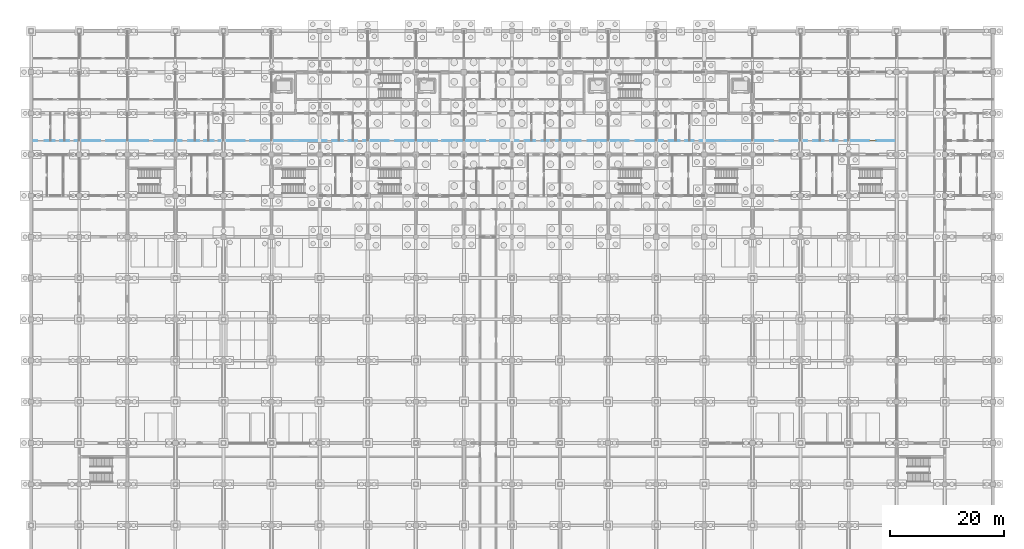
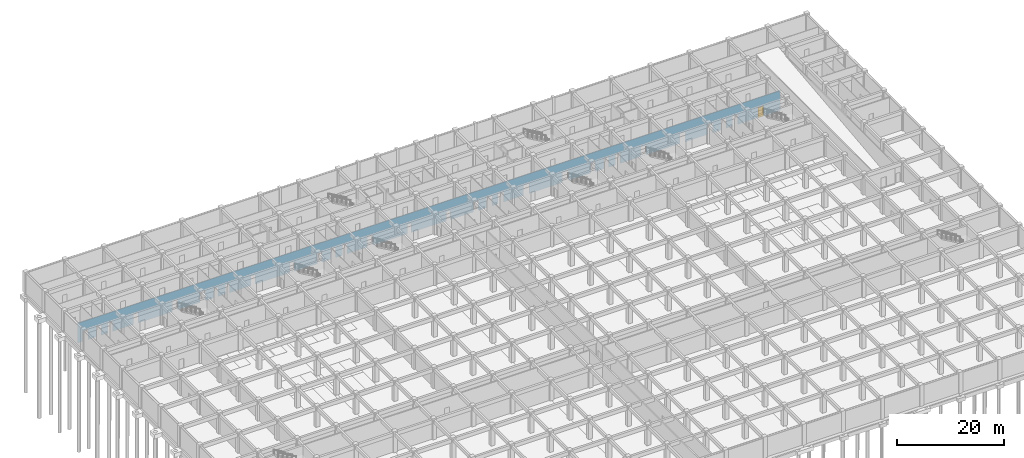
# One storey, part 70 of 85: 1 door, 30 openings, plus 1 element that does not belong to this part.
"""IFC4 building model written with IfcOpenShell, lengths in metres."""

from ifc_helpers import new_model, si_unit, direction, frame, frame_2d, origin, place, context, subcontext, project, spatial, rectangle, extrude, material, layer, layer_set, type_object, element, fill, save


model = new_model("IFC4")

# Units and contexts
model_context = context("Model", 3, precision=1e-05, world=origin(), true_north=direction((0.0, 1.0)))
body_context = subcontext(model_context, "Body", "Model", "MODEL_VIEW")
ifc_project = project(units=[si_unit("LENGTHUNIT", "METRE"), si_unit("AREAUNIT", "SQUARE_METRE"), si_unit("VOLUMEUNIT", "CUBIC_METRE"), si_unit("PLANEANGLEUNIT", "RADIAN"), si_unit("MASSUNIT", "GRAM", prefix="KILO")], contexts=[model_context])

# Site, building, storey
site_placement = place(None, origin())
site = spatial("IfcSite", under=ifc_project, at=site_placement, CompositionType="ELEMENT")
building_placement = place(site_placement, origin())
building = spatial("IfcBuilding", under=site, at=building_placement, Name="Chengyuan Square Courthouse", CompositionType="ELEMENT")
storey_placement = place(building_placement, frame((0.0, 0.0, -10.199951171875)))
storey = spatial("IfcBuildingStorey", under=building, at=storey_placement, Name="B02", CompositionType="ELEMENT", Elevation=-10.199951171875)

# Wall, openings, door
ifc_material_1 = material(Name="Gypsum Plasterboard Acoustic Stud Partition")
ifc_layer = layer(ifc_material_1, 0.10009765625)
ifc_layer_set = layer_set([ifc_layer], Name="Gypsum Plasterboard Acoustic Stud Partition")
wall_type = type_object("IfcWallType", Name="WL-PT6", PredefinedType="STANDARD", material=ifc_layer_set)
wall_placement = place(storey_placement, frame((0.0400390625, 96.0, 0.0), z_axis=(0.0, 0.0, 1.0), x_axis=(1.0, 0.0, 0.0)))
wall = element("IfcWall", 1, at=wall_placement, inside=storey, type_object=wall_type, Name="Interior Wall WL-B02-I062", PredefinedType="STANDARD", context=body_context, shape_type="SweptSolid", body=[
    extrude(rectangle(XDim=151.159912109375, YDim=0.10009765625, at=frame_2d((75.580078125, 0.0))), origin(), (0.0, 0.0, 1.0), 4.47998046875),
])
opening_1_placement = place(wall_placement, frame((1.0400390625, 0.0, 0.0)))
element("IfcOpeningElement", 2, at=opening_1_placement, cuts=wall, Name="Opening DR-148", PredefinedType="OPENING", context=body_context, shape_type="SweptSolid", body=[
    extrude(rectangle(XDim=1.280029296875, YDim=2.35009765625, at=frame_2d((0.64013671875, 1.175048828125))), frame((0.0, 0.06201171875, 0.0), z_axis=(0.0, -1.0, 0.0), x_axis=(1.0, 0.0, 0.0)), (0.0, 0.0, 1.0), 0.1240234375),
])
opening_2_placement = place(wall_placement, frame((4.090087890625, 0.0, 0.0)))
element("IfcOpeningElement", 3, at=opening_2_placement, cuts=wall, Name="Opening DR-149", PredefinedType="OPENING", context=body_context, shape_type="SweptSolid", body=[
    extrude(rectangle(XDim=0.93994140625, YDim=2.300048828125, at=frame_2d((0.469970703125, 1.14990234375))), frame((0.0, 0.06201171875, 0.0), z_axis=(0.0, -1.0, 0.0), x_axis=(1.0, 0.0, 0.0)), (0.0, 0.0, 1.0), 0.1240234375),
])
opening_3_placement = place(wall_placement, frame((6.570068359375, 0.0, 0.0)))
element("IfcOpeningElement", 4, at=opening_3_placement, cuts=wall, Name="Opening DR-150", PredefinedType="OPENING", context=body_context, shape_type="SweptSolid", body=[
    extrude(rectangle(XDim=0.97998046875, YDim=2.35009765625, at=frame_2d((0.489990234375, 1.175048828125))), frame((0.0, 0.06201171875, 0.0), z_axis=(0.0, -1.0, 0.0), x_axis=(1.0, 0.0, 0.0)), (0.0, 0.0, 1.0), 0.1240234375),
])
opening_4_placement = place(wall_placement, frame((12.050048828125, 0.0, 0.0)))
element("IfcOpeningElement", 5, at=opening_4_placement, cuts=wall, Name="Opening DR-151", PredefinedType="OPENING", context=body_context, shape_type="SweptSolid", body=[
    extrude(rectangle(XDim=1.02001953125, YDim=2.39990234375, at=frame_2d((0.510009765625, 1.199951171875))), frame((0.0, 0.06201171875, 0.0), z_axis=(0.0, -1.0, 0.0), x_axis=(1.0, 0.0, 0.0)), (0.0, 0.0, 1.0), 0.1240234375),
])
opening_5_placement = place(wall_placement, frame((20.429931640625, 0.0, 0.0)))
element("IfcOpeningElement", 6, at=opening_5_placement, cuts=wall, Name="Opening DR-152", PredefinedType="OPENING", context=body_context, shape_type="SweptSolid", body=[
    extrude(rectangle(XDim=1.06005859375, YDim=2.39990234375, at=frame_2d((0.530029296875, 1.199951171875))), frame((0.0, 0.06201171875, 0.0), z_axis=(0.0, -1.0, 0.0), x_axis=(1.0, 0.0, 0.0)), (0.0, 0.0, 1.0), 0.1240234375),
])
opening_6_placement = place(wall_placement, frame((26.2900390625, 0.0, 0.0)))
element("IfcOpeningElement", 7, at=opening_6_placement, cuts=wall, Name="Opening DR-153", PredefinedType="OPENING", context=body_context, shape_type="SweptSolid", body=[
    extrude(rectangle(XDim=1.139892578125, YDim=2.39990234375, at=frame_2d((0.56982421875, 1.199951171875))), frame((0.0, 0.06201171875, 0.0), z_axis=(0.0, -1.0, 0.0), x_axis=(1.0, 0.0, 0.0)), (0.0, 0.0, 1.0), 0.1240234375),
])
opening_7_placement = place(wall_placement, frame((29.31005859375, 0.0, 0.0)))
element("IfcOpeningElement", 8, at=opening_7_placement, cuts=wall, Name="Opening DR-154", PredefinedType="OPENING", context=body_context, shape_type="SweptSolid", body=[
    extrude(rectangle(XDim=0.89990234375, YDim=2.14990234375, at=frame_2d((0.449951171875, 1.074951171875))), frame((0.0, 0.06201171875, 0.0), z_axis=(0.0, -1.0, 0.0), x_axis=(1.0, 0.0, 0.0)), (0.0, 0.0, 1.0), 0.1240234375),
])
opening_8_placement = place(wall_placement, frame((31.830078125, 0.0, 0.0)))
element("IfcOpeningElement", 9, at=opening_8_placement, cuts=wall, Name="Opening DR-155", PredefinedType="OPENING", context=body_context, shape_type="SweptSolid", body=[
    extrude(rectangle(XDim=0.860107421875, YDim=2.10009765625, at=frame_2d((0.43017578125, 1.050048828125))), frame((0.0, 0.06201171875, 0.0), z_axis=(0.0, -1.0, 0.0), x_axis=(1.0, 0.0, 0.0)), (0.0, 0.0, 1.0), 0.1240234375),
])
opening_9_placement = place(wall_placement, frame((37.300048828125, 0.0, 0.0)))
element("IfcOpeningElement", 10, at=opening_9_placement, cuts=wall, Name="Opening DR-156", PredefinedType="OPENING", context=body_context, shape_type="SweptSolid", body=[
    extrude(rectangle(XDim=0.919921875, YDim=2.14990234375, at=frame_2d((0.4599609375, 1.074951171875))), frame((0.0, 0.06201171875, 0.0), z_axis=(0.0, -1.0, 0.0), x_axis=(1.0, 0.0, 0.0)), (0.0, 0.0, 1.0), 0.1240234375),
])
opening_10_placement = place(wall_placement, frame((45.679931640625, 0.0, 0.0)))
element("IfcOpeningElement", 11, at=opening_10_placement, cuts=wall, Name="Opening DR-157", PredefinedType="OPENING", context=body_context, shape_type="SweptSolid", body=[
    extrude(rectangle(XDim=0.9599609375, YDim=2.199951171875, at=frame_2d((0.47998046875, 1.10009765625))), frame((0.0, 0.06201171875, 0.0), z_axis=(0.0, -1.0, 0.0), x_axis=(1.0, 0.0, 0.0)), (0.0, 0.0, 1.0), 0.1240234375),
])
opening_11_placement = place(wall_placement, frame((51.570068359375, 0.0, 0.0)))
element("IfcOpeningElement", 12, at=opening_11_placement, cuts=wall, Name="Opening DR-167", PredefinedType="OPENING", context=body_context, shape_type="SweptSolid", body=[
    extrude(rectangle(XDim=0.97998046875, YDim=2.35009765625, at=frame_2d((0.489990234375, 1.175048828125))), frame((0.0, 0.06201171875, 0.0), z_axis=(0.0, -1.0, 0.0), x_axis=(1.0, 0.0, 0.0)), (0.0, 0.0, 1.0), 0.1240234375),
])
opening_12_placement = place(wall_placement, frame((54.449951171875, 0.0, 0.0)))
element("IfcOpeningElement", 13, at=opening_12_placement, cuts=wall, Name="Opening DR-168", PredefinedType="OPENING", context=body_context, shape_type="SweptSolid", body=[
    extrude(rectangle(XDim=1.02001953125, YDim=2.39990234375, at=frame_2d((0.510009765625, 1.199951171875))), frame((0.0, 0.06201171875, 0.0), z_axis=(0.0, -1.0, 0.0), x_axis=(1.0, 0.0, 0.0)), (0.0, 0.0, 1.0), 0.1240234375),
])
opening_13_placement = place(wall_placement, frame((56.929931640625, 0.0, 0.0)))
element("IfcOpeningElement", 14, at=opening_13_placement, cuts=wall, Name="Opening DR-169", PredefinedType="OPENING", context=body_context, shape_type="SweptSolid", body=[
    extrude(rectangle(XDim=1.06005859375, YDim=2.39990234375, at=frame_2d((0.530029296875, 1.199951171875))), frame((0.0, 0.06201171875, 0.0), z_axis=(0.0, -1.0, 0.0), x_axis=(1.0, 0.0, 0.0)), (0.0, 0.0, 1.0), 0.1240234375),
])
opening_14_placement = place(wall_placement, frame((62.389892578125, 0.0, 0.0)))
element("IfcOpeningElement", 15, at=opening_14_placement, cuts=wall, Name="Opening DR-170", PredefinedType="OPENING", context=body_context, shape_type="SweptSolid", body=[
    extrude(rectangle(XDim=1.139892578125, YDim=2.39990234375, at=frame_2d((0.56982421875, 1.199951171875))), frame((0.0, 0.06201171875, 0.0), z_axis=(0.0, -1.0, 0.0), x_axis=(1.0, 0.0, 0.0)), (0.0, 0.0, 1.0), 0.1240234375),
])
opening_15_placement = place(wall_placement, frame((70.909912109375, 0.0, 0.0)))
element("IfcOpeningElement", 16, at=opening_15_placement, cuts=wall, Name="Opening DR-171", PredefinedType="OPENING", context=body_context, shape_type="SweptSolid", body=[
    extrude(rectangle(XDim=0.89990234375, YDim=2.14990234375, at=frame_2d((0.449951171875, 1.074951171875))), frame((0.0, 0.06201171875, 0.0), z_axis=(0.0, -1.0, 0.0), x_axis=(1.0, 0.0, 0.0)), (0.0, 0.0, 1.0), 0.1240234375),
])
opening_16_placement = place(wall_placement, frame((79.330078125, 0.0, 0.0)))
element("IfcOpeningElement", 17, at=opening_16_placement, cuts=wall, Name="Opening DR-172", PredefinedType="OPENING", context=body_context, shape_type="SweptSolid", body=[
    extrude(rectangle(XDim=0.860107421875, YDim=2.10009765625, at=frame_2d((0.43017578125, 1.050048828125))), frame((0.0, 0.06201171875, 0.0), z_axis=(0.0, -1.0, 0.0), x_axis=(1.0, 0.0, 0.0)), (0.0, 0.0, 1.0), 0.1240234375),
])
opening_17_placement = place(wall_placement, frame((85.10009765625, 0.0, 0.0)))
element("IfcOpeningElement", 18, at=opening_17_placement, cuts=wall, Name="Opening DR-178", PredefinedType="OPENING", context=body_context, shape_type="SweptSolid", body=[
    extrude(rectangle(XDim=1.1201171875, YDim=2.25, at=frame_2d((0.56005859375, 1.125))), frame((0.0, 0.06201171875, 0.0), z_axis=(0.0, -1.0, 0.0), x_axis=(1.0, 0.0, 0.0)), (0.0, 0.0, 1.0), 0.1240234375),
])
opening_18_placement = place(wall_placement, frame((87.97998046875, 0.0, 0.0)))
element("IfcOpeningElement", 19, at=opening_18_placement, cuts=wall, Name="Opening DR-179", PredefinedType="OPENING", context=body_context, shape_type="SweptSolid", body=[
    extrude(rectangle(XDim=1.159912109375, YDim=2.300048828125, at=frame_2d((0.580078125, 1.14990234375))), frame((0.0, 0.06201171875, 0.0), z_axis=(0.0, -1.0, 0.0), x_axis=(1.0, 0.0, 0.0)), (0.0, 0.0, 1.0), 0.1240234375),
])
opening_19_placement = place(wall_placement, frame((90.4599609375, 0.0, 0.0)))
element("IfcOpeningElement", 20, at=opening_19_placement, cuts=wall, Name="Opening DR-180", PredefinedType="OPENING", context=body_context, shape_type="SweptSolid", body=[
    extrude(rectangle(XDim=1.199951171875, YDim=2.35009765625, at=frame_2d((0.60009765625, 1.175048828125))), frame((0.0, 0.06201171875, 0.0), z_axis=(0.0, -1.0, 0.0), x_axis=(1.0, 0.0, 0.0)), (0.0, 0.0, 1.0), 0.1240234375),
])
opening_20_placement = place(wall_placement, frame((95.93994140625, 0.0, 0.0)))
element("IfcOpeningElement", 21, at=opening_20_placement, cuts=wall, Name="Opening DR-181", PredefinedType="OPENING", context=body_context, shape_type="SweptSolid", body=[
    extrude(rectangle(XDim=1.239990234375, YDim=2.300048828125, at=frame_2d((0.6201171875, 1.14990234375))), frame((0.0, 0.06201171875, 0.0), z_axis=(0.0, -1.0, 0.0), x_axis=(1.0, 0.0, 0.0)), (0.0, 0.0, 1.0), 0.1240234375),
])
opening_21_placement = place(wall_placement, frame((104.320068359375, 0.0, 0.0)))
element("IfcOpeningElement", 22, at=opening_21_placement, cuts=wall, Name="Opening DR-182", PredefinedType="OPENING", context=body_context, shape_type="SweptSolid", body=[
    extrude(rectangle(XDim=1.280029296875, YDim=2.35009765625, at=frame_2d((0.64013671875, 1.175048828125))), frame((0.0, 0.06201171875, 0.0), z_axis=(0.0, -1.0, 0.0), x_axis=(1.0, 0.0, 0.0)), (0.0, 0.0, 1.0), 0.1240234375),
])
opening_22_placement = place(wall_placement, frame((110.389892578125, 0.0, 0.0)))
element("IfcOpeningElement", 23, at=opening_22_placement, cuts=wall, Name="Opening DR-183", PredefinedType="OPENING", context=body_context, shape_type="SweptSolid", body=[
    extrude(rectangle(XDim=0.93994140625, YDim=2.300048828125, at=frame_2d((0.469970703125, 1.14990234375))), frame((0.0, 0.06201171875, 0.0), z_axis=(0.0, -1.0, 0.0), x_axis=(1.0, 0.0, 0.0)), (0.0, 0.0, 1.0), 0.1240234375),
])
opening_23_placement = place(wall_placement, frame((113.27001953125, 0.0, 0.0)))
element("IfcOpeningElement", 24, at=opening_23_placement, cuts=wall, Name="Opening DR-184", PredefinedType="OPENING", context=body_context, shape_type="SweptSolid", body=[
    extrude(rectangle(XDim=0.97998046875, YDim=2.35009765625, at=frame_2d((0.489990234375, 1.175048828125))), frame((0.0, 0.06201171875, 0.0), z_axis=(0.0, -1.0, 0.0), x_axis=(1.0, 0.0, 0.0)), (0.0, 0.0, 1.0), 0.1240234375),
])
opening_24_placement = place(wall_placement, frame((115.75, 0.0, 0.0)))
element("IfcOpeningElement", 25, at=opening_24_placement, cuts=wall, Name="Opening DR-185", PredefinedType="OPENING", context=body_context, shape_type="SweptSolid", body=[
    extrude(rectangle(XDim=1.02001953125, YDim=2.39990234375, at=frame_2d((0.510009765625, 1.199951171875))), frame((0.0, 0.06201171875, 0.0), z_axis=(0.0, -1.0, 0.0), x_axis=(1.0, 0.0, 0.0)), (0.0, 0.0, 1.0), 0.1240234375),
])
opening_25_placement = place(wall_placement, frame((121.239990234375, 0.0, 0.0)))
element("IfcOpeningElement", 26, at=opening_25_placement, cuts=wall, Name="Opening DR-193", PredefinedType="OPENING", context=body_context, shape_type="SweptSolid", body=[
    extrude(rectangle(XDim=1.0400390625, YDim=2.199951171875, at=frame_2d((0.52001953125, 1.10009765625))), frame((0.0, 0.06201171875, 0.0), z_axis=(0.0, -1.0, 0.0), x_axis=(1.0, 0.0, 0.0)), (0.0, 0.0, 1.0), 0.1240234375),
])
opening_26_placement = place(wall_placement, frame((129.6201171875, 0.0, 0.0)))
element("IfcOpeningElement", 27, at=opening_26_placement, cuts=wall, Name="Opening DR-194", PredefinedType="OPENING", context=body_context, shape_type="SweptSolid", body=[
    extrude(rectangle(XDim=1.080078125, YDim=2.25, at=frame_2d((0.5400390625, 1.125))), frame((0.0, 0.06201171875, 0.0), z_axis=(0.0, -1.0, 0.0), x_axis=(1.0, 0.0, 0.0)), (0.0, 0.0, 1.0), 0.1240234375),
])
opening_27_placement = place(wall_placement, frame((135.5, 0.0, 0.0)))
element("IfcOpeningElement", 28, at=opening_27_placement, cuts=wall, Name="Opening DR-195", PredefinedType="OPENING", context=body_context, shape_type="SweptSolid", body=[
    extrude(rectangle(XDim=1.1201171875, YDim=2.25, at=frame_2d((0.56005859375, 1.125))), frame((0.0, 0.06201171875, 0.0), z_axis=(0.0, -1.0, 0.0), x_axis=(1.0, 0.0, 0.0)), (0.0, 0.0, 1.0), 0.1240234375),
])
opening_28_placement = place(wall_placement, frame((138.3798828125, 0.0, 0.0)))
element("IfcOpeningElement", 29, at=opening_28_placement, cuts=wall, Name="Opening DR-196", PredefinedType="OPENING", context=body_context, shape_type="SweptSolid", body=[
    extrude(rectangle(XDim=1.159912109375, YDim=2.300048828125, at=frame_2d((0.580078125, 1.14990234375))), frame((0.0, 0.06201171875, 0.0), z_axis=(0.0, -1.0, 0.0), x_axis=(1.0, 0.0, 0.0)), (0.0, 0.0, 1.0), 0.1240234375),
])
opening_29_placement = place(wall_placement, frame((140.860107421875, 0.0, 0.0)))
element("IfcOpeningElement", 30, at=opening_29_placement, cuts=wall, Name="Opening DR-197", PredefinedType="OPENING", context=body_context, shape_type="SweptSolid", body=[
    extrude(rectangle(XDim=1.199951171875, YDim=2.35009765625, at=frame_2d((0.60009765625, 1.175048828125))), frame((0.0, 0.06201171875, 0.0), z_axis=(0.0, -1.0, 0.0), x_axis=(1.0, 0.0, 0.0)), (0.0, 0.0, 1.0), 0.1240234375),
])
opening_30_placement = place(wall_placement, frame((146.340087890625, 0.0, 0.0)))
opening_30 = element("IfcOpeningElement", 31, at=opening_30_placement, cuts=wall, Name="Opening DR-198", PredefinedType="OPENING", context=body_context, shape_type="SweptSolid", body=[
    extrude(rectangle(XDim=1.239990234375, YDim=2.300048828125, at=frame_2d((0.6201171875, 1.14990234375))), frame((0.0, 0.06201171875, 0.0), z_axis=(0.0, -1.0, 0.0), x_axis=(1.0, 0.0, 0.0)), (0.0, 0.0, 1.0), 0.1240234375),
])
ifc_material_2 = material(Name="Acoustic Solid-Core Timber Door", Category="wood")
door_type = type_object("IfcDoorType", Name="DT-37", OperationType="NOTDEFINED", PredefinedType="DOOR", material=ifc_material_2)
door_placement = place(opening_30_placement, origin())
door = element("IfcDoor", 32, at=door_placement, inside=storey, type_object=door_type, Name="Interior Door DR-198", OperationType="SINGLE_SWING_LEFT", OverallHeight=2.300048828125, OverallWidth=1.239990234375, PredefinedType="DOOR", context=body_context, shape_type="SweptSolid", body=[
    extrude(rectangle(XDim=1.239990234375, YDim=2.300048828125, at=frame_2d((0.6201171875, 1.14990234375))), frame((0.0, 0.02490234375, 0.0), z_axis=(0.0, -1.0, 0.0), x_axis=(1.0, 0.0, 0.0)), (0.0, 0.0, 1.0), 0.050048828125),
])
fill(opening_30, door)

save(model, "model.ifc")
